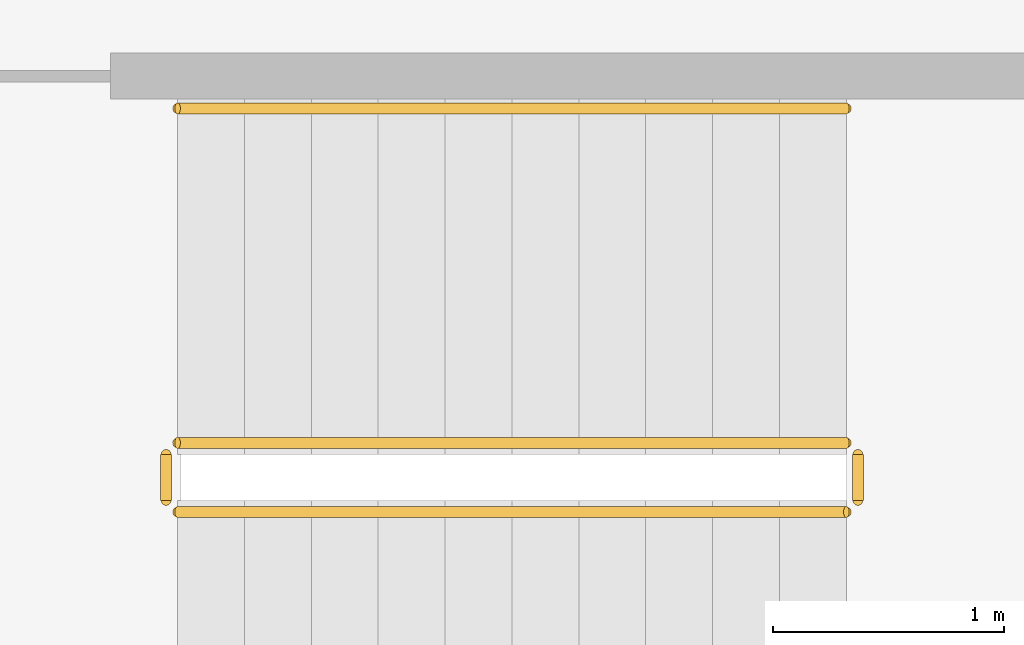
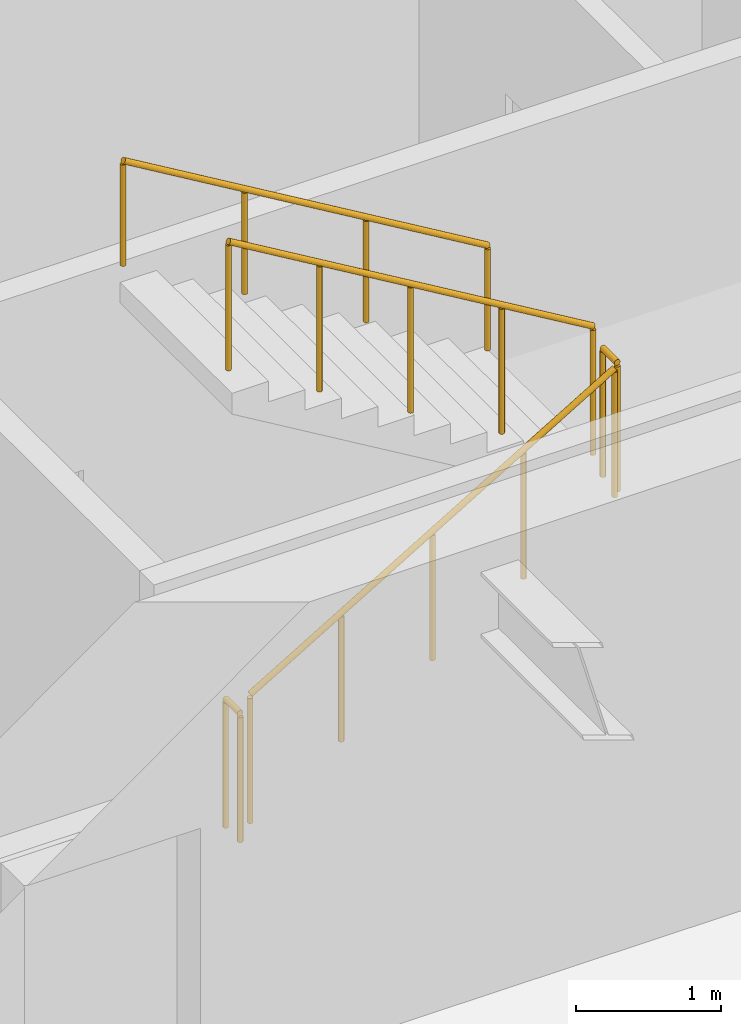
# One storey, part 21 of 22: 5 railings.
"""IFC4 building model written with IfcOpenShell, lengths in metres."""

from ifc_helpers import new_model, si_unit, direction, frame, origin, origin_2d, place, context, subcontext, project, spatial, circle, extrude, material, type_object, element, save


model = new_model("IFC4")

# Units and contexts
model_context = context("Model", 3, precision=1e-05, world=origin(), true_north=direction((0.0, 1.0)))
body_context = subcontext(model_context, "Body", "Model", "MODEL_VIEW")
ifc_project = project(units=[si_unit("LENGTHUNIT", "METRE"), si_unit("AREAUNIT", "SQUARE_METRE"), si_unit("VOLUMEUNIT", "CUBIC_METRE"), si_unit("PLANEANGLEUNIT", "RADIAN"), si_unit("MASSUNIT", "GRAM", prefix="KILO")], contexts=[model_context])

# Site, building, storey
site_placement = place(None, origin())
site = spatial("IfcSite", under=ifc_project, at=site_placement, CompositionType="ELEMENT")
building_placement = place(site_placement, origin())
building = spatial("IfcBuilding", under=site, at=building_placement, Name="Putna Gate Headquarters", CompositionType="ELEMENT")
storey_placement = place(building_placement, frame((0.0, 0.0, 170.800048828125)))
storey = spatial("IfcBuildingStorey", under=building, at=storey_placement, Name="L42", CompositionType="ELEMENT", Elevation=170.800048828125)

# Railings
ifc_material_1 = material(Name="Powder-coated steel stair guardrail", Category="steel")
railing_type_1 = type_object("IfcRailingType", Name="RAIL-STAIR-GUARD-1100", PredefinedType="GUARDRAIL", material=ifc_material_1)
railing_1_placement = place(storey_placement, frame((57.89990234375, 21.10009765625, 0.172607421875)))
element("IfcRailing", 1, at=railing_1_placement, inside=storey, type_object=railing_type_1, Name="L42 ST2 stair guard 1", PredefinedType="GUARDRAIL", context=body_context, shape_type="SweptSolid", body=[
    extrude(circle(Radius=0.02392578125, at=origin_2d()), frame((0.0, 0.0, 1.076171875), z_axis=(0.859160404282, 0.0, 0.51170636083), x_axis=(0.0, 1.0, 0.0)), (0.0, 0.0, 1.0), 3.37548828125),
    extrude(circle(Radius=0.02099609375, at=origin_2d()), origin(), (0.0, 0.0, 1.0), 1.052001953125),
    extrude(circle(Radius=0.02099609375, at=origin_2d()), frame((0.72509765625, 0.0, 0.431884765625)), (0.0, 0.0, 1.0), 1.052001953125),
    extrude(circle(Radius=0.02099609375, at=origin_2d()), frame((1.4501953125, 0.0, 0.86376953125)), (0.0, 0.0, 1.0), 1.052001953125),
    extrude(circle(Radius=0.02099609375, at=origin_2d()), frame((2.175048828125, 0.0, 1.29541015625)), (0.0, 0.0, 1.0), 1.052001953125),
    extrude(circle(Radius=0.02099609375, at=origin_2d()), frame((2.900146484375, 0.0, 1.727294921875)), (0.0, 0.0, 1.0), 1.052001953125),
])
railing_2_placement = place(storey_placement, frame((60.85009765625, 21.14990234375, 1.89990234375)))
element("IfcRailing", 2, at=railing_2_placement, inside=storey, type_object=railing_type_1, Name="L42 ST2 stair guard 2", PredefinedType="GUARDRAIL", context=body_context, shape_type="SweptSolid", body=[
    extrude(circle(Radius=0.02392578125, at=origin_2d()), frame((0.0, 0.0, 1.076171875), z_axis=(0.0, 1.0, 0.0), x_axis=(-1.0, 0.0, 0.0)), (0.0, 0.0, 1.0), 0.2001953125),
    extrude(circle(Radius=0.02099609375, at=origin_2d()), origin(), (0.0, 0.0, 1.0), 1.052001953125),
    extrude(circle(Radius=0.02099609375, at=origin_2d()), frame((0.0, 0.2001953125, 0.0)), (0.0, 0.0, 1.0), 1.052001953125),
])
railing_3_placement = place(storey_placement, frame((60.800048828125, 21.39990234375, 2.07275390625)))
element("IfcRailing", 3, at=railing_3_placement, inside=storey, type_object=railing_type_1, Name="L42 ST2 stair guard 3", PredefinedType="GUARDRAIL", context=body_context, shape_type="SweptSolid", body=[
    extrude(circle(Radius=0.02392578125, at=origin_2d()), frame((0.0, 0.0, 1.076171875), z_axis=(-0.859160404282, 0.0, 0.51170636083), x_axis=(0.0, -1.0, 0.0)), (0.0, 0.0, 1.0), 3.37548828125),
    extrude(circle(Radius=0.02099609375, at=origin_2d()), origin(), (0.0, 0.0, 1.0), 1.052001953125),
    extrude(circle(Radius=0.02099609375, at=origin_2d()), frame((-0.72509765625, 0.0, 0.431884765625)), (0.0, 0.0, 1.0), 1.052001953125),
    extrude(circle(Radius=0.02099609375, at=origin_2d()), frame((-1.4501953125, 0.0, 0.86376953125)), (0.0, 0.0, 1.0), 1.052001953125),
    extrude(circle(Radius=0.02099609375, at=origin_2d()), frame((-2.175048828125, 0.0, 1.29541015625)), (0.0, 0.0, 1.0), 1.052001953125),
    extrude(circle(Radius=0.02099609375, at=origin_2d()), frame((-2.900146484375, 0.0, 1.727294921875)), (0.0, 0.0, 1.0), 1.052001953125),
])
railing_4_placement = place(storey_placement, frame((57.85009765625, 21.14990234375, 0.0)))
element("IfcRailing", 4, at=railing_4_placement, inside=storey, type_object=railing_type_1, Name="L42 ST2 stair guard 4", PredefinedType="GUARDRAIL", context=body_context, shape_type="SweptSolid", body=[
    extrude(circle(Radius=0.02392578125, at=origin_2d()), frame((0.0, 0.0, 1.076171875), z_axis=(0.0, 1.0, 0.0), x_axis=(-1.0, 0.0, 0.0)), (0.0, 0.0, 1.0), 0.2001953125),
    extrude(circle(Radius=0.02099609375, at=origin_2d()), origin(), (0.0, 0.0, 1.0), 1.052001953125),
    extrude(circle(Radius=0.02099609375, at=origin_2d()), frame((0.0, 0.2001953125, 0.0)), (0.0, 0.0, 1.0), 1.052001953125),
])
ifc_material_2 = material(Name="Brushed stainless steel handrail", Category="steel")
railing_type_2 = type_object("IfcRailingType", Name="RAIL-STAIR-HAND-900", PredefinedType="HANDRAIL", material=ifc_material_2)
railing_5_placement = place(storey_placement, frame((60.800048828125, 22.85009765625, 2.07275390625)))
element("IfcRailing", 5, at=railing_5_placement, inside=storey, type_object=railing_type_2, Name="L42 ST2 stair handrail 2", PredefinedType="HANDRAIL", context=body_context, shape_type="SweptSolid", body=[
    extrude(circle(Radius=0.02392578125, at=origin_2d()), frame((0.0, 0.0, 0.8759765625), z_axis=(-0.859160404282, 0.0, 0.51170636083), x_axis=(0.0, -1.0, 0.0)), (0.0, 0.0, 1.0), 3.37548828125),
    extrude(circle(Radius=0.02099609375, at=origin_2d()), origin(), (0.0, 0.0, 1.0), 0.851806640625),
    extrude(circle(Radius=0.02099609375, at=origin_2d()), frame((-0.966796875, 0.0, 0.57568359375)), (0.0, 0.0, 1.0), 0.851806640625),
    extrude(circle(Radius=0.02099609375, at=origin_2d()), frame((-1.933349609375, 0.0, 1.151611328125)), (0.0, 0.0, 1.0), 0.851806640625),
    extrude(circle(Radius=0.02099609375, at=origin_2d()), frame((-2.900146484375, 0.0, 1.727294921875)), (0.0, 0.0, 1.0), 0.851806640625),
])

save(model, "model.ifc")
